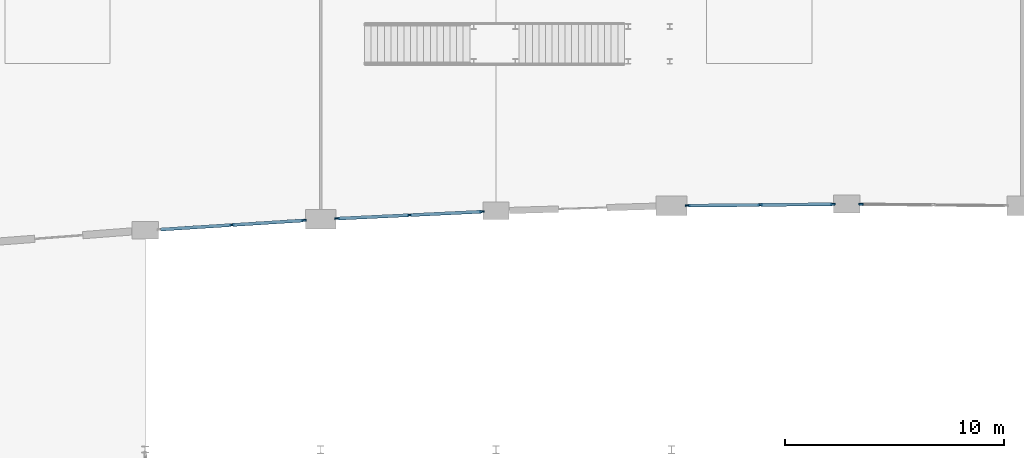
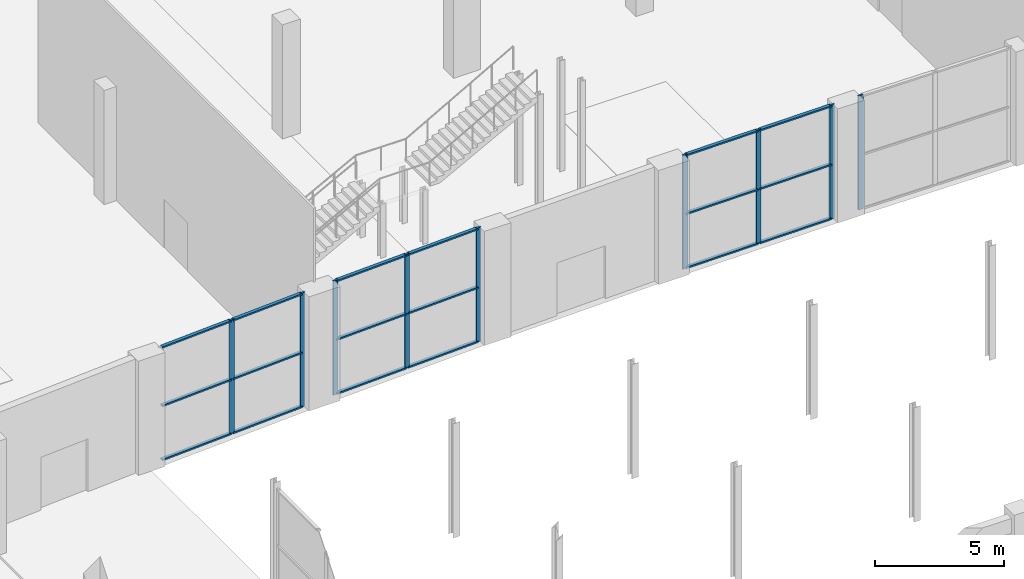
# One storey, part 30 of 86: 27 members, 4 elements without a shape of their own.
"""IFC4 building model written with IfcOpenShell, lengths in metres."""

from ifc_helpers import new_model, si_unit, direction, frame, origin, origin_2d, place, context, subcontext, project, spatial, rectangle, extrude, material, material_profile, profile_set, type_object, element, aggregate, save


model = new_model("IFC4")

# Units and contexts
model_context = context("Model", 3, precision=1e-05, world=origin(), true_north=direction((0.0, 1.0)))
body_context = subcontext(model_context, "Body", "Model", "MODEL_VIEW")
ifc_project = project(units=[si_unit("LENGTHUNIT", "METRE"), si_unit("AREAUNIT", "SQUARE_METRE"), si_unit("VOLUMEUNIT", "CUBIC_METRE"), si_unit("PLANEANGLEUNIT", "RADIAN"), si_unit("MASSUNIT", "GRAM", prefix="KILO")], contexts=[model_context])

# Site, building, storey
site_placement = place(None, origin())
site = spatial("IfcSite", under=ifc_project, at=site_placement, CompositionType="ELEMENT")
building_placement = place(site_placement, origin())
building = spatial("IfcBuilding", under=site, at=building_placement, Name="Kenh Van Central Station", CompositionType="ELEMENT")
storey_placement = place(building_placement, origin())
storey = spatial("IfcBuildingStorey", under=building, at=storey_placement, Name="L00", CompositionType="ELEMENT", Elevation=0.0)

# Curtain wall, members
ifc_material = material(Name="Champagne anodised aluminium", Category="aluminium")
curtain_wall_type = type_object("IfcCurtainWallType", Name="CW-HALL-A", PredefinedType="NOTDEFINED", material=ifc_material)
curtain_wall_1_placement = place(storey_placement, origin())
curtain_wall_1 = element("IfcCurtainWall", 1, at=curtain_wall_1_placement, inside=storey, type_object=curtain_wall_type, Name="L00 curtain wall 004", PredefinedType="NOTDEFINED")
ifc_material_profile_1 = material_profile(ifc_material, rectangle(XDim=0.080078125, YDim=0.219970703125, at=origin_2d()), Name="AL 80x220")
ifc_profile_set_1 = profile_set([ifc_material_profile_1], Name="Champagne anodised aluminium")
member_type_1 = type_object("IfcMemberType", Name="CWM-80x220", PredefinedType="MULLION", material=ifc_profile_set_1)
member_1_placement = place(storey_placement, frame((59.948486328125, 66.245361328125, 0.0), z_axis=(0.0, 0.0, 1.0), x_axis=(-0.063211477724, 0.998000154852, 0.0)))
member_1 = element("IfcMember", 2, at=member_1_placement, type_object=member_type_1, Name="CW-01 mullion 2", PredefinedType="MULLION", context=body_context, shape_type="SweptSolid", body=[
    extrude(rectangle(XDim=0.080078125, YDim=0.219970703125, at=origin_2d()), origin(), (0.0, 0.0, 1.0), 5.39990234375),
])
member_2_placement = place(storey_placement, frame((63.234375, 66.453369140625, 0.0), z_axis=(0.0, 0.0, 1.0), x_axis=(-0.063211477724, 0.998000154852, 0.0)))
member_2 = element("IfcMember", 3, at=member_2_placement, type_object=member_type_1, Name="CW-01 mullion 3", PredefinedType="MULLION", context=body_context, shape_type="SweptSolid", body=[
    extrude(rectangle(XDim=0.080078125, YDim=0.219970703125, at=origin_2d()), origin(), (0.0, 0.0, 1.0), 5.39990234375),
])

curtain_wall_2_placement = place(storey_placement, origin())
curtain_wall_2 = element("IfcCurtainWall", 4, at=curtain_wall_2_placement, inside=storey, type_object=curtain_wall_type, Name="L00 curtain wall 006", PredefinedType="NOTDEFINED")
member_3_placement = place(storey_placement, frame((64.759765625, 66.5380859375, 0.0), z_axis=(0.0, 0.0, 1.0), x_axis=(-0.047600764745, 0.99886644112, 0.0)))
member_3 = element("IfcMember", 5, at=member_3_placement, type_object=member_type_1, Name="CW-01 mullion 1", PredefinedType="MULLION", context=body_context, shape_type="SweptSolid", body=[
    extrude(rectangle(XDim=0.080078125, YDim=0.219970703125, at=origin_2d()), origin(), (0.0, 0.0, 1.0), 5.39990234375),
])
member_4_placement = place(storey_placement, frame((68.051025390625, 66.695068359375, 0.0), z_axis=(0.0, 0.0, 1.0), x_axis=(-0.047600764745, 0.99886644112, 0.0)))
member_4 = element("IfcMember", 6, at=member_4_placement, type_object=member_type_1, Name="CW-01 mullion 2", PredefinedType="MULLION", context=body_context, shape_type="SweptSolid", body=[
    extrude(rectangle(XDim=0.080078125, YDim=0.219970703125, at=origin_2d()), origin(), (0.0, 0.0, 1.0), 5.39990234375),
])
member_5_placement = place(storey_placement, frame((71.34228515625, 66.851806640625, 0.0), z_axis=(0.0, 0.0, 1.0), x_axis=(-0.047600764745, 0.99886644112, 0.0)))
member_5 = element("IfcMember", 7, at=member_5_placement, type_object=member_type_1, Name="CW-01 mullion 3", PredefinedType="MULLION", context=body_context, shape_type="SweptSolid", body=[
    extrude(rectangle(XDim=0.080078125, YDim=0.219970703125, at=origin_2d()), origin(), (0.0, 0.0, 1.0), 5.39990234375),
])

curtain_wall_3_placement = place(storey_placement, origin())
curtain_wall_3 = element("IfcCurtainWall", 8, at=curtain_wall_3_placement, inside=storey, type_object=curtain_wall_type, Name="L00 curtain wall 008", PredefinedType="NOTDEFINED")
member_6_placement = place(storey_placement, frame((80.744384765625, 67.127197265625, 0.0), z_axis=(0.0, 0.0, 1.0), x_axis=(-0.010011901592, 0.999949879657, 0.0)))
member_6 = element("IfcMember", 9, at=member_6_placement, type_object=member_type_1, Name="CW-01 mullion 1", PredefinedType="MULLION", context=body_context, shape_type="SweptSolid", body=[
    extrude(rectangle(XDim=0.080078125, YDim=0.219970703125, at=origin_2d()), origin(), (0.0, 0.0, 1.0), 5.39990234375),
])
member_7_placement = place(storey_placement, frame((84.05029296875, 67.160400390625, 0.0), z_axis=(0.0, 0.0, 1.0), x_axis=(-0.010011901592, 0.999949879657, 0.0)))
member_7 = element("IfcMember", 10, at=member_7_placement, type_object=member_type_1, Name="CW-01 mullion 2", PredefinedType="MULLION", context=body_context, shape_type="SweptSolid", body=[
    extrude(rectangle(XDim=0.080078125, YDim=0.219970703125, at=origin_2d()), origin(), (0.0, 0.0, 1.0), 5.39990234375),
])
member_8_placement = place(storey_placement, frame((87.356201171875, 67.193603515625, 0.0), z_axis=(0.0, 0.0, 1.0), x_axis=(-0.010011901592, 0.999949879657, 0.0)))
member_8 = element("IfcMember", 11, at=member_8_placement, type_object=member_type_1, Name="CW-01 mullion 3", PredefinedType="MULLION", context=body_context, shape_type="SweptSolid", body=[
    extrude(rectangle(XDim=0.080078125, YDim=0.219970703125, at=origin_2d()), origin(), (0.0, 0.0, 1.0), 5.39990234375),
])

# Curtain wall, member
curtain_wall_4_placement = place(storey_placement, origin())
curtain_wall_4 = element("IfcCurtainWall", 12, at=curtain_wall_4_placement, inside=storey, type_object=curtain_wall_type, Name="L00 curtain wall 010", PredefinedType="NOTDEFINED")
member_9_placement = place(storey_placement, frame((88.643798828125, 67.193603515625, 0.0), z_axis=(0.0, 0.0, 1.0), x_axis=(0.010011901592, 0.999949879657, 0.0)))
member_9 = element("IfcMember", 13, at=member_9_placement, type_object=member_type_1, Name="CW-01 mullion 1", PredefinedType="MULLION", context=body_context, shape_type="SweptSolid", body=[
    extrude(rectangle(XDim=0.080078125, YDim=0.219970703125, at=origin_2d()), origin(), (0.0, 0.0, 1.0), 5.39990234375),
])
aggregate(curtain_wall_4, [member_9])

# Member
ifc_material_profile_2 = material_profile(ifc_material, rectangle(XDim=0.14990234375, YDim=0.070068359375, at=origin_2d()), Name="AL 150x70")
ifc_profile_set_2 = profile_set([ifc_material_profile_2], Name="Champagne anodised aluminium")
member_type_2 = type_object("IfcMemberType", Name="CWT-150x70", PredefinedType="USERDEFINED", material=ifc_profile_set_2)
member_10_placement = place(storey_placement, frame((56.70263671875, 66.03955078125, 0.034912109375), z_axis=(0.997998987314, 0.063229908426, 0.0), x_axis=(-0.063229908426, 0.997998987314, 0.0)))
member_10 = element("IfcMember", 14, at=member_10_placement, type_object=member_type_2, Name="CW-01 transom 1.1", ObjectType="TRANSOM", PredefinedType="USERDEFINED", context=body_context, shape_type="SweptSolid", body=[
    extrude(rectangle(XDim=0.14990234375, YDim=0.070068359375, at=origin_2d()), origin(), (0.0, 0.0, 1.0), 3.21240234375),
])

member_11_placement = place(storey_placement, frame((56.70263671875, 66.03955078125, 2.592041015625), z_axis=(0.997998987314, 0.063229908426, 0.0), x_axis=(-0.063229908426, 0.997998987314, 0.0)))
member_11 = element("IfcMember", 15, at=member_11_placement, type_object=member_type_2, Name="CW-01 transom 1.2", ObjectType="TRANSOM", PredefinedType="USERDEFINED", context=body_context, shape_type="SweptSolid", body=[
    extrude(rectangle(XDim=0.14990234375, YDim=0.070068359375, at=origin_2d()), origin(), (0.0, 0.0, 1.0), 3.21240234375),
])

member_12_placement = place(storey_placement, frame((56.70263671875, 66.03955078125, 5.364990234375), z_axis=(0.997998987314, 0.063229908426, 0.0), x_axis=(-0.063229908426, 0.997998987314, 0.0)))
member_12 = element("IfcMember", 16, at=member_12_placement, type_object=member_type_2, Name="CW-01 transom 1.3", ObjectType="TRANSOM", PredefinedType="USERDEFINED", context=body_context, shape_type="SweptSolid", body=[
    extrude(rectangle(XDim=0.14990234375, YDim=0.070068359375, at=origin_2d()), origin(), (0.0, 0.0, 1.0), 3.21240234375),
])

member_13_placement = place(storey_placement, frame((59.988525390625, 66.247802734375, 0.034912109375), z_axis=(0.997998987314, 0.063229908426, 0.0), x_axis=(-0.063229908426, 0.997998987314, 0.0)))
member_13 = element("IfcMember", 17, at=member_13_placement, type_object=member_type_2, Name="CW-01 transom 2.1", ObjectType="TRANSOM", PredefinedType="USERDEFINED", context=body_context, shape_type="SweptSolid", body=[
    extrude(rectangle(XDim=0.14990234375, YDim=0.070068359375, at=origin_2d()), origin(), (0.0, 0.0, 1.0), 3.21240234375),
])

member_14_placement = place(storey_placement, frame((59.988525390625, 66.247802734375, 2.592041015625), z_axis=(0.997998987314, 0.063229908426, 0.0), x_axis=(-0.063229908426, 0.997998987314, 0.0)))
member_14 = element("IfcMember", 18, at=member_14_placement, type_object=member_type_2, Name="CW-01 transom 2.2", ObjectType="TRANSOM", PredefinedType="USERDEFINED", context=body_context, shape_type="SweptSolid", body=[
    extrude(rectangle(XDim=0.14990234375, YDim=0.070068359375, at=origin_2d()), origin(), (0.0, 0.0, 1.0), 3.21240234375),
])

member_15_placement = place(storey_placement, frame((59.988525390625, 66.247802734375, 5.364990234375), z_axis=(0.997998987314, 0.063229908426, 0.0), x_axis=(-0.063229908426, 0.997998987314, 0.0)))
member_15 = element("IfcMember", 19, at=member_15_placement, type_object=member_type_2, Name="CW-01 transom 2.3", ObjectType="TRANSOM", PredefinedType="USERDEFINED", context=body_context, shape_type="SweptSolid", body=[
    extrude(rectangle(XDim=0.14990234375, YDim=0.070068359375, at=origin_2d()), origin(), (0.0, 0.0, 1.0), 3.21240234375),
])

aggregate(curtain_wall_1, [member_1, member_2, member_10, member_11, member_12, member_13, member_14, member_15])

member_16_placement = place(storey_placement, frame((64.7998046875, 66.5400390625, 0.034912109375), z_axis=(0.998865731043, 0.047615662842, 0.0), x_axis=(-0.047615662842, 0.998865731043, 0.0)))
member_16 = element("IfcMember", 20, at=member_16_placement, type_object=member_type_2, Name="CW-01 transom 1.1", ObjectType="TRANSOM", PredefinedType="USERDEFINED", context=body_context, shape_type="SweptSolid", body=[
    extrude(rectangle(XDim=0.14990234375, YDim=0.070068359375, at=origin_2d()), origin(), (0.0, 0.0, 1.0), 3.21484375),
])

member_17_placement = place(storey_placement, frame((64.7998046875, 66.5400390625, 2.592041015625), z_axis=(0.998865731043, 0.047615662842, 0.0), x_axis=(-0.047615662842, 0.998865731043, 0.0)))
member_17 = element("IfcMember", 21, at=member_17_placement, type_object=member_type_2, Name="CW-01 transom 1.2", ObjectType="TRANSOM", PredefinedType="USERDEFINED", context=body_context, shape_type="SweptSolid", body=[
    extrude(rectangle(XDim=0.14990234375, YDim=0.070068359375, at=origin_2d()), origin(), (0.0, 0.0, 1.0), 3.21484375),
])

member_18_placement = place(storey_placement, frame((64.7998046875, 66.5400390625, 5.364990234375), z_axis=(0.998865731043, 0.047615662842, 0.0), x_axis=(-0.047615662842, 0.998865731043, 0.0)))
member_18 = element("IfcMember", 22, at=member_18_placement, type_object=member_type_2, Name="CW-01 transom 1.3", ObjectType="TRANSOM", PredefinedType="USERDEFINED", context=body_context, shape_type="SweptSolid", body=[
    extrude(rectangle(XDim=0.14990234375, YDim=0.070068359375, at=origin_2d()), origin(), (0.0, 0.0, 1.0), 3.21484375),
])

member_19_placement = place(storey_placement, frame((68.091064453125, 66.69677734375, 0.034912109375), z_axis=(0.998865903203, 0.047612051187, 0.0), x_axis=(-0.047612051187, 0.998865903203, 0.0)))
member_19 = element("IfcMember", 23, at=member_19_placement, type_object=member_type_2, Name="CW-01 transom 2.1", ObjectType="TRANSOM", PredefinedType="USERDEFINED", context=body_context, shape_type="SweptSolid", body=[
    extrude(rectangle(XDim=0.14990234375, YDim=0.070068359375, at=origin_2d()), origin(), (0.0, 0.0, 1.0), 3.215087890625),
])

member_20_placement = place(storey_placement, frame((68.091064453125, 66.69677734375, 2.592041015625), z_axis=(0.998865903203, 0.047612051187, 0.0), x_axis=(-0.047612051187, 0.998865903203, 0.0)))
member_20 = element("IfcMember", 24, at=member_20_placement, type_object=member_type_2, Name="CW-01 transom 2.2", ObjectType="TRANSOM", PredefinedType="USERDEFINED", context=body_context, shape_type="SweptSolid", body=[
    extrude(rectangle(XDim=0.14990234375, YDim=0.070068359375, at=origin_2d()), origin(), (0.0, 0.0, 1.0), 3.215087890625),
])

member_21_placement = place(storey_placement, frame((68.091064453125, 66.69677734375, 5.364990234375), z_axis=(0.998865903203, 0.047612051187, 0.0), x_axis=(-0.047612051187, 0.998865903203, 0.0)))
member_21 = element("IfcMember", 25, at=member_21_placement, type_object=member_type_2, Name="CW-01 transom 2.3", ObjectType="TRANSOM", PredefinedType="USERDEFINED", context=body_context, shape_type="SweptSolid", body=[
    extrude(rectangle(XDim=0.14990234375, YDim=0.070068359375, at=origin_2d()), origin(), (0.0, 0.0, 1.0), 3.215087890625),
])

aggregate(curtain_wall_2, [member_3, member_4, member_5, member_16, member_17, member_18, member_19, member_20, member_21])

member_22_placement = place(storey_placement, frame((80.784423828125, 67.127685546875, 0.034912109375), z_axis=(0.999950102075, 0.009989662717, 0.0), x_axis=(-0.009989662717, 0.999950102075, 0.0)))
member_22 = element("IfcMember", 26, at=member_22_placement, type_object=member_type_2, Name="CW-01 transom 1.1", ObjectType="TRANSOM", PredefinedType="USERDEFINED", context=body_context, shape_type="SweptSolid", body=[
    extrude(rectangle(XDim=0.14990234375, YDim=0.070068359375, at=origin_2d()), origin(), (0.0, 0.0, 1.0), 3.22607421875),
])

member_23_placement = place(storey_placement, frame((80.784423828125, 67.127685546875, 2.592041015625), z_axis=(0.999950102075, 0.009989662717, 0.0), x_axis=(-0.009989662717, 0.999950102075, 0.0)))
member_23 = element("IfcMember", 27, at=member_23_placement, type_object=member_type_2, Name="CW-01 transom 1.2", ObjectType="TRANSOM", PredefinedType="USERDEFINED", context=body_context, shape_type="SweptSolid", body=[
    extrude(rectangle(XDim=0.14990234375, YDim=0.070068359375, at=origin_2d()), origin(), (0.0, 0.0, 1.0), 3.22607421875),
])

member_24_placement = place(storey_placement, frame((80.784423828125, 67.127685546875, 5.364990234375), z_axis=(0.999950102075, 0.009989662717, 0.0), x_axis=(-0.009989662717, 0.999950102075, 0.0)))
member_24 = element("IfcMember", 28, at=member_24_placement, type_object=member_type_2, Name="CW-01 transom 1.3", ObjectType="TRANSOM", PredefinedType="USERDEFINED", context=body_context, shape_type="SweptSolid", body=[
    extrude(rectangle(XDim=0.14990234375, YDim=0.070068359375, at=origin_2d()), origin(), (0.0, 0.0, 1.0), 3.22607421875),
])

member_25_placement = place(storey_placement, frame((84.09033203125, 67.160888671875, 0.034912109375), z_axis=(0.999950102075, 0.009989662717, 0.0), x_axis=(-0.009989662717, 0.999950102075, 0.0)))
member_25 = element("IfcMember", 29, at=member_25_placement, type_object=member_type_2, Name="CW-01 transom 2.1", ObjectType="TRANSOM", PredefinedType="USERDEFINED", context=body_context, shape_type="SweptSolid", body=[
    extrude(rectangle(XDim=0.14990234375, YDim=0.070068359375, at=origin_2d()), origin(), (0.0, 0.0, 1.0), 3.22607421875),
])

member_26_placement = place(storey_placement, frame((84.09033203125, 67.160888671875, 2.592041015625), z_axis=(0.999950102075, 0.009989662717, 0.0), x_axis=(-0.009989662717, 0.999950102075, 0.0)))
member_26 = element("IfcMember", 30, at=member_26_placement, type_object=member_type_2, Name="CW-01 transom 2.2", ObjectType="TRANSOM", PredefinedType="USERDEFINED", context=body_context, shape_type="SweptSolid", body=[
    extrude(rectangle(XDim=0.14990234375, YDim=0.070068359375, at=origin_2d()), origin(), (0.0, 0.0, 1.0), 3.22607421875),
])

member_27_placement = place(storey_placement, frame((84.09033203125, 67.160888671875, 5.364990234375), z_axis=(0.999950102075, 0.009989662717, 0.0), x_axis=(-0.009989662717, 0.999950102075, 0.0)))
member_27 = element("IfcMember", 31, at=member_27_placement, type_object=member_type_2, Name="CW-01 transom 2.3", ObjectType="TRANSOM", PredefinedType="USERDEFINED", context=body_context, shape_type="SweptSolid", body=[
    extrude(rectangle(XDim=0.14990234375, YDim=0.070068359375, at=origin_2d()), origin(), (0.0, 0.0, 1.0), 3.22607421875),
])

aggregate(curtain_wall_3, [member_6, member_7, member_8, member_22, member_23, member_24, member_25, member_26, member_27])

save(model, "model.ifc")
